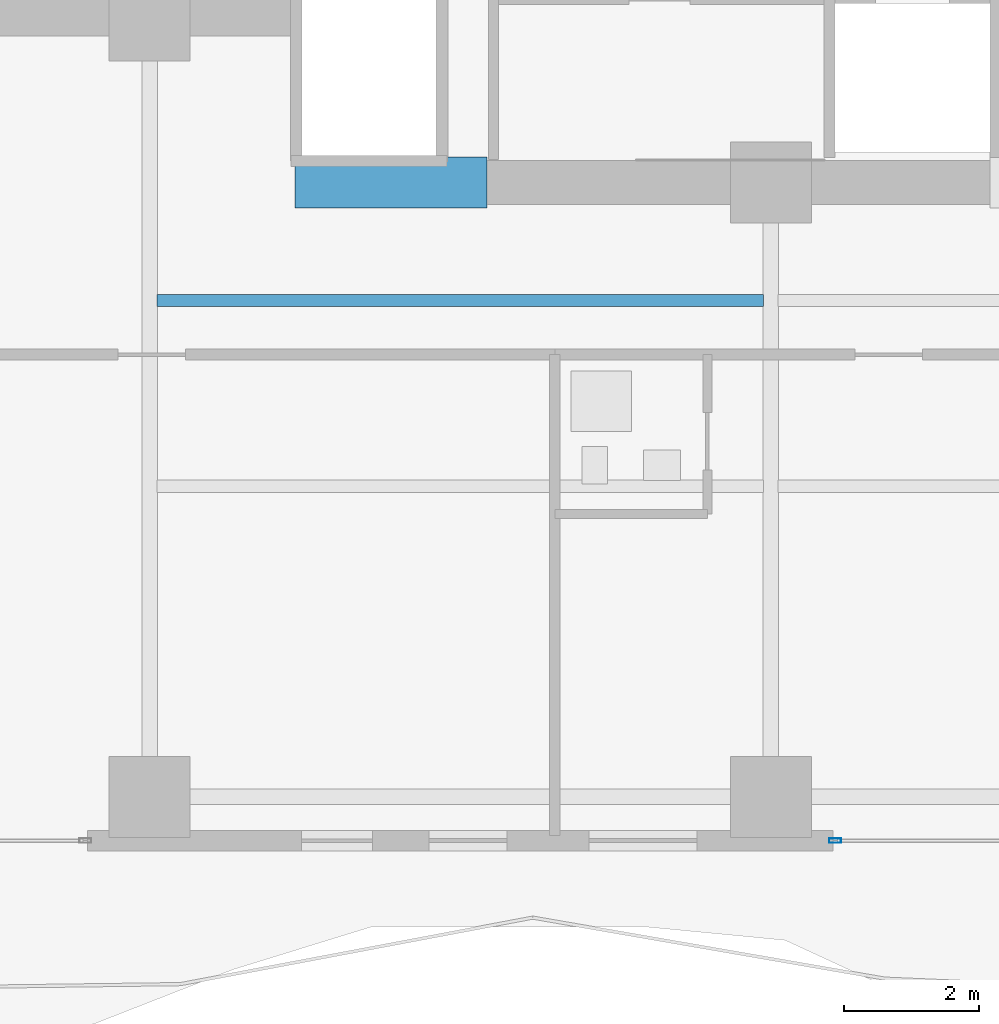
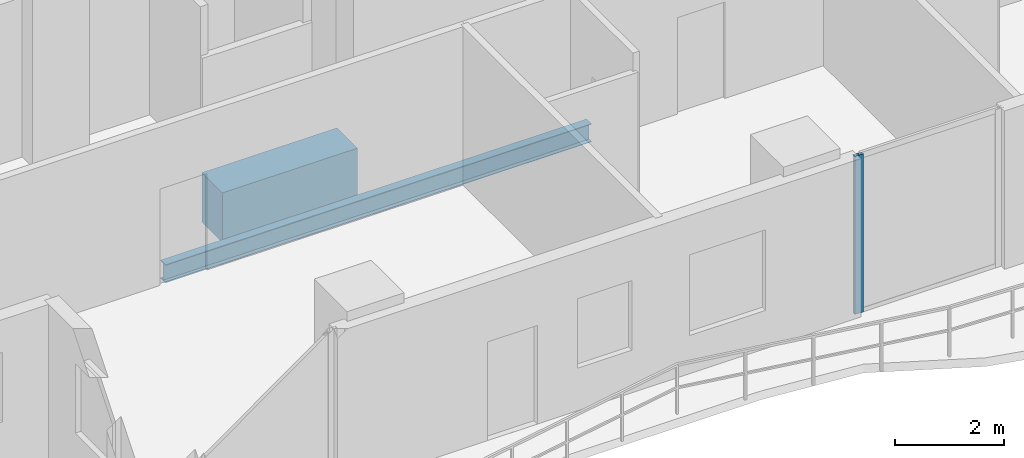
# One storey, part 5 of 33: 2 beams, 1 member, 1 element without a shape of its own.
"""IFC4 building model written with IfcOpenShell, lengths in metres."""

from ifc_helpers import new_model, si_unit, direction, frame, origin, origin_2d, place, context, subcontext, project, spatial, rectangle, hollow_rectangle, i_section, extrude, material, layer, layer_set, material_profile, profile_set, type_object, element, aggregate, save


model = new_model("IFC4")

# Units and contexts
model_context = context("Model", 3, precision=1e-05, world=origin(), true_north=direction((0.0, 1.0)))
body_context = subcontext(model_context, "Body", "Model", "MODEL_VIEW")
ifc_project = project(units=[si_unit("LENGTHUNIT", "METRE"), si_unit("AREAUNIT", "SQUARE_METRE"), si_unit("VOLUMEUNIT", "CUBIC_METRE"), si_unit("PLANEANGLEUNIT", "RADIAN"), si_unit("MASSUNIT", "GRAM", prefix="KILO")], contexts=[model_context])

# Site, building, storey
site_placement = place(None, origin())
site = spatial("IfcSite", under=ifc_project, at=site_placement, CompositionType="ELEMENT")
building_placement = place(site_placement, origin())
building = spatial("IfcBuilding", under=site, at=building_placement, Name="Zuhayl Quay Hotel", CompositionType="ELEMENT")
storey_placement = place(building_placement, frame((0.0, 0.0, 199.89990234375)))
storey = spatial("IfcBuildingStorey", under=building, at=storey_placement, Name="L50", CompositionType="ELEMENT", Elevation=199.89990234375)

# Beams
ifc_material_1 = material(Name="Concrete C60/75", Category="concrete")
ifc_material_profile_1 = material_profile(ifc_material_1, rectangle(XDim=0.75, YDim=1.10009765625, at=origin_2d()), Name="RC750X1100")
ifc_profile_set_1 = profile_set([ifc_material_profile_1], Name="Concrete C60/75")
beam_type_1 = type_object("IfcBeamType", Name="BM_CB2_RC750", PredefinedType="T_BEAM", material=ifc_profile_set_1)
beam_1_placement = place(storey_placement, frame((-11.64990234375, 2.14990234375, -0.77001953125), z_axis=(1.0, 0.0, 0.0), x_axis=(0.0, 1.0, 0.0)))
element("IfcBeam", 1, at=beam_1_placement, inside=storey, type_object=beam_type_1, Name="L50 Core Coupling Beam SW", PredefinedType="T_BEAM", context=body_context, shape_type="SweptSolid", body=[
    extrude(rectangle(XDim=0.75, YDim=1.10009765625, at=origin_2d()), origin(), (0.0, 0.0, 1.0), 2.849853515625),
])
ifc_material_2 = material(Name="Steel ASTM A992 Grade 50", Category="steel")
ifc_material_profile_2 = material_profile(ifc_material_2, i_section(OverallWidth=0.177978515625, OverallDepth=0.406005859375, WebThickness=0.0078125, FlangeThickness=0.0126953125, at=origin_2d()), Name="W16X40")
ifc_profile_set_2 = profile_set([ifc_material_profile_2], Name="Steel ASTM A992 Grade 50")
beam_type_2 = type_object("IfcBeamType", Name="BM_J2B_W16X40", PredefinedType="JOIST", material=ifc_profile_set_2)
beam_2_placement = place(storey_placement, frame((-13.694091796875, 0.39990234375, -0.4228515625), z_axis=(1.0, 0.0, 0.0), x_axis=(0.0, 1.0, 0.0)))
element("IfcBeam", 2, at=beam_2_placement, inside=storey, type_object=beam_type_2, Name="L50 Floor Beam FJ_L50_8_1", PredefinedType="JOIST", context=body_context, shape_type="SweptSolid", body=[
    extrude(i_section(OverallWidth=0.177978515625, OverallDepth=0.406005859375, WebThickness=0.0078125, FlangeThickness=0.0126953125, at=origin_2d()), origin(), (0.0, 0.0, 1.0), 8.988037109375),
])

# Curtain wall, member
ifc_material_3 = material(Name="Anodised Aluminium 6063-T6", Category="aluminium")
ifc_layer = layer(ifc_material_3, 0.175048828125, Name="Anodised Aluminium 6063-T6", Category="aluminium")
ifc_layer_set = layer_set([ifc_layer], Name="Anodised Aluminium 6063-T6")
curtain_wall_type = type_object("IfcCurtainWallType", Name="CW_SYS_Z3", PredefinedType="USERDEFINED", material=ifc_layer_set)
curtain_wall_placement = place(storey_placement, origin())
curtain_wall = element("IfcCurtainWall", 3, at=curtain_wall_placement, inside=storey, type_object=curtain_wall_type, Name="L50 Curtain Wall ENV_L50_S_CW4", ObjectType="UNITISED CURTAIN WALL", PredefinedType="USERDEFINED")
ifc_material_4 = material(Name="Black-anodised aluminium 6063-T6", Category="aluminium")
ifc_material_profile_3 = material_profile(ifc_material_4, hollow_rectangle(XDim=0.06494140625, YDim=0.179931640625, WallThickness=0.00341796875, at=origin_2d()), Name="ALU180X65")
ifc_profile_set_3 = profile_set([ifc_material_profile_3], Name="Black-anodised aluminium 6063-T6")
member_type = type_object("IfcMemberType", Name="MB_CW_MUL_180", PredefinedType="MULLION", material=ifc_profile_set_3)
member_placement = place(storey_placement, frame((-3.6474609375, -7.60009765625, 0.0), z_axis=(0.0, 0.0, 1.0), x_axis=(0.0, -1.0, 0.0)))
member = element("IfcMember", 4, at=member_placement, type_object=member_type, Name="CW-Z3 mullion 2", PredefinedType="MULLION", context=body_context, shape_type="SweptSolid", body=[
    extrude(hollow_rectangle(XDim=0.06494140625, YDim=0.179931640625, WallThickness=0.00341796875, at=origin_2d()), origin(), (0.0, 0.0, 1.0), 3.530029296875),
])
aggregate(curtain_wall, [member])

save(model, "model.ifc")
